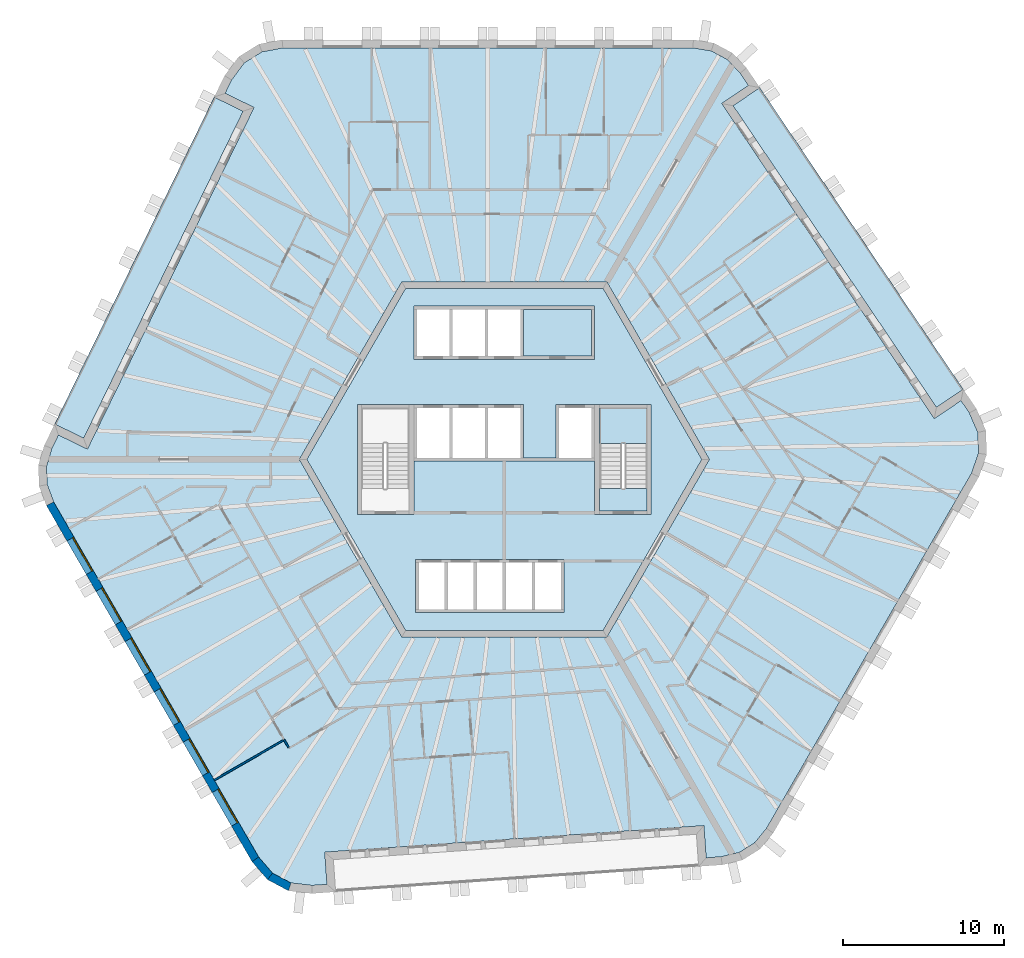
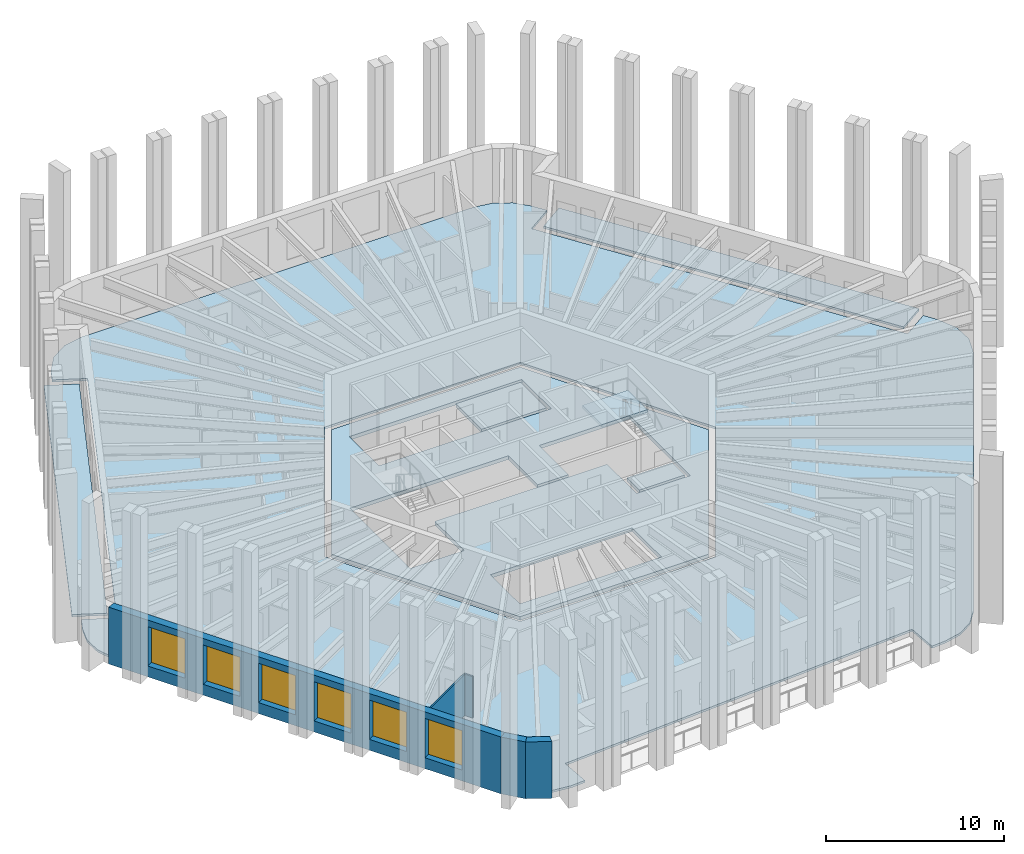
# One storey, part 2 of 13: 7 slabs, 6 windows, 5 walls, 6 openings, 1 element without a shape of its own.
"""IFC4 building model written with IfcOpenShell, lengths in metres."""

from ifc_helpers import new_model, si_unit, direction, frame, frame_2d, origin, place, context, subcontext, project, spatial, polyline, rectangle, outline, extrude, material, layer, layer_set, type_object, element, fill, aggregate, save


model = new_model("IFC4")

# Units and contexts
model_context = context("Model", 3, precision=1e-05, world=origin(), true_north=direction((0.0, 1.0)))
body_context = subcontext(model_context, "Body", "Model", "MODEL_VIEW")
ifc_project = project(units=[si_unit("LENGTHUNIT", "METRE"), si_unit("AREAUNIT", "SQUARE_METRE"), si_unit("VOLUMEUNIT", "CUBIC_METRE"), si_unit("PLANEANGLEUNIT", "RADIAN"), si_unit("MASSUNIT", "GRAM", prefix="KILO")], contexts=[model_context])

# Site, building, storey
site_placement = place(None, origin())
site = spatial("IfcSite", under=ifc_project, at=site_placement, CompositionType="ELEMENT")
building_placement = place(site_placement, origin())
building = spatial("IfcBuilding", under=site, at=building_placement, Name="Tarnside Tower", CompositionType="ELEMENT")
storey_placement = place(building_placement, frame((0.0, 0.0, 326.39990234375)))
storey = spatial("IfcBuildingStorey", under=building, at=storey_placement, Name="L79", CompositionType="ELEMENT", Elevation=326.39990234375)

# Slabs
ifc_material_1 = material(Name="Concrete C35/45", Category="concrete")
ifc_layer_1 = layer(ifc_material_1, 0.14990234375)
ifc_layer_set_1 = layer_set([ifc_layer_1], Name="Composite floor slab 150")
slab_type_1 = type_object("IfcSlabType", Name="Composite floor slab 150", PredefinedType="FLOOR", material=ifc_layer_set_1)
slab_1_placement = place(storey_placement, frame((0.0, 0.0, -0.14990234375)))
element("IfcSlab", 1, at=slab_1_placement, inside=storey, type_object=slab_type_1, Name="Floor slab L79", PredefinedType="FLOOR", context=body_context, shape_type="SweptSolid", body=[
    extrude(outline(polyline([(12.81689453125, 25.312744140625), (13.818115234375, 24.7802734375), (14.610595703125, 23.940185546875), (15.130615234375, 23.169677734375), (13.472412109375, 22.05126953125), (26.638427734375, 2.53173828125), (28.29638671875, 3.650146484375), (28.814697265625, 2.8818359375), (29.336669921875, 1.671875), (29.3818359375, 0.378662109375), (28.945556640625, -0.864990234375), (16.2451171875, -22.86279296875), (15.51318359375, -23.756103515625), (14.55126953125, -24.35693359375), (13.427490234375, -24.623291015625), (12.500244140625, -24.688232421875), (12.360595703125, -22.693115234375), (-11.126708984375, -24.33544921875), (-10.9873046875, -26.33056640625), (-11.91162109375, -26.395263671875), (-13.220458984375, -26.2421875), (-14.363037109375, -25.634765625), (-15.2216796875, -24.635009765625), (-27.922119140625, -2.63720703125), (-28.329833984375, -1.556640625), (-28.369384765625, -0.42333984375), (-28.0380859375, 0.68310546875), (-27.630615234375, 1.5185546875), (-25.8330078125, 0.641845703125), (-15.51171875, 21.8037109375), (-17.309326171875, 22.680419921875), (-16.903076171875, 23.51318359375), (-16.1162109375, 24.5703125), (-15.018798828125, 25.256103515625), (-13.723876953125, 25.5), (11.67724609375, 25.5), (12.81689453125, 25.312744140625)]), holes=[polyline([(-12.70166015625, 0.0), (-6.350830078125, -11.0), (6.350830078125, -11.0), (12.70166015625, 0.0), (6.350830078125, 11.0), (-6.350830078125, 11.0), (-12.70166015625, 0.0)])]), origin(), (0.0, 0.0, 1.0), 0.14990234375),
])
ifc_material_2 = material(Name="Concrete C40/50", Category="concrete")
ifc_layer_2 = layer(ifc_material_2, 0.25)
ifc_layer_set_2 = layer_set([ifc_layer_2], Name="Core slab C40/50")
slab_type_2 = type_object("IfcSlabType", Name="Core slab C40/50", PredefinedType="FLOOR", material=ifc_layer_set_2)
slab_2_placement = place(storey_placement, frame((0.0, 0.0, -0.25)))
element("IfcSlab", 2, at=slab_2_placement, inside=storey, type_object=slab_type_2, Name="L79 core floor slab 1", PredefinedType="FLOOR", context=body_context, shape_type="SweptSolid", body=[
    extrude(outline(polyline([(6.119873046875, 10.60009765625), (12.23974609375, 0.0), (6.119873046875, -10.60009765625), (-6.119873046875, -10.60009765625), (-12.23974609375, 0.0), (-6.119873046875, 10.60009765625), (6.119873046875, 10.60009765625)]), holes=[polyline([(-5.5, -9.5), (3.699951171875, -9.5), (3.699951171875, -9.300048828125), (3.699951171875, -6.39990234375), (3.699951171875, -6.199951171875), (-5.5, -6.199951171875), (-5.5, -6.39990234375), (-5.5, -9.300048828125), (-5.5, -9.5)]), polyline([(-5.60009765625, -3.39990234375), (-5.60009765625, -0.10009765625), (5.60009765625, -0.10009765625), (5.60009765625, -3.39990234375), (5.89990234375, -3.39990234375), (8.85009765625, -3.39990234375), (9.10009765625, -3.39990234375), (9.10009765625, 3.39990234375), (8.85009765625, 3.39990234375), (5.89990234375, 3.39990234375), (5.60009765625, 3.39990234375), (3.39990234375, 3.39990234375), (3.199951171875, 3.39990234375), (3.199951171875, 0.10009765625), (1.199951171875, 0.10009765625), (1.199951171875, 3.39990234375), (1.0, 3.39990234375), (-5.60009765625, 3.39990234375), (-5.89990234375, 3.39990234375), (-8.85009765625, 3.39990234375), (-9.10009765625, 3.39990234375), (-9.10009765625, -3.39990234375), (-8.85009765625, -3.39990234375), (-5.89990234375, -3.39990234375), (-5.60009765625, -3.39990234375)]), polyline([(-5.60009765625, 6.199951171875), (5.60009765625, 6.199951171875), (5.60009765625, 6.39990234375), (5.60009765625, 9.300048828125), (5.60009765625, 9.5), (-5.60009765625, 9.5), (-5.60009765625, 9.300048828125), (-5.60009765625, 6.39990234375), (-5.60009765625, 6.199951171875)])]), origin(), (0.0, 0.0, 1.0), 0.25),
])
slab_3_placement = place(storey_placement, frame((0.0, 0.0, -0.25)))
element("IfcSlab", 3, at=slab_3_placement, inside=storey, type_object=slab_type_2, Name="L79 core floor slab 3", PredefinedType="FLOOR", context=body_context, shape_type="SweptSolid", body=[
    extrude(outline(polyline([(5.89990234375, -1.800048828125), (8.85009765625, -1.800048828125), (8.85009765625, -3.199951171875), (5.89990234375, -3.199951171875), (5.89990234375, -1.800048828125)])), origin(), (0.0, 0.0, 1.0), 0.25),
])
slab_4_placement = place(storey_placement, frame((0.0, 0.0, -0.25)))
element("IfcSlab", 4, at=slab_4_placement, inside=storey, type_object=slab_type_2, Name="L79 core floor slab 4", PredefinedType="FLOOR", context=body_context, shape_type="SweptSolid", body=[
    extrude(outline(polyline([(5.39990234375, 6.39990234375), (1.199951171875, 6.39990234375), (1.199951171875, 9.300048828125), (5.39990234375, 9.300048828125), (5.39990234375, 6.39990234375)])), origin(), (0.0, 0.0, 1.0), 0.25),
])
ifc_material_3 = material(Name="Timber decking", Category="wood")
ifc_layer_3 = layer(ifc_material_3, 0.0400390625)
ifc_material_4 = material(Name="Concrete C60/75 precast", Category="concrete")
ifc_layer_4 = layer(ifc_material_4, 0.110107421875)
ifc_layer_set_3 = layer_set([ifc_layer_3, ifc_layer_4], Name="Loggia deck 150")
slab_type_3 = type_object("IfcSlabType", Name="Loggia deck 150", PredefinedType="FLOOR", material=ifc_layer_set_3)
slab_5_placement = place(storey_placement, frame((0.0, 0.0, -0.14990234375)))
element("IfcSlab", 5, at=slab_5_placement, inside=storey, type_object=slab_type_3, Name="Loggia deck L79 F2", PredefinedType="FLOOR", context=body_context, shape_type="SweptSolid", body=[
    extrude(outline(polyline([(-16.180419921875, 21.573486328125), (-26.063232421875, 1.310302734375), (-27.86083984375, 2.187255859375), (-17.97802734375, 22.4501953125), (-16.180419921875, 21.573486328125)])), origin(), (0.0, 0.0, 1.0), 0.14990234375),
])
slab_6_placement = place(storey_placement, frame((0.0, 0.0, -0.14990234375)))
element("IfcSlab", 6, at=slab_6_placement, inside=storey, type_object=slab_type_3, Name="Loggia deck L79 F6", PredefinedType="FLOOR", context=body_context, shape_type="SweptSolid", body=[
    extrude(outline(polyline([(26.7734375, 3.225830078125), (14.16650390625, 21.916259765625), (15.82470703125, 23.03466796875), (28.431396484375, 4.34423828125), (26.7734375, 3.225830078125)])), origin(), (0.0, 0.0, 1.0), 0.14990234375),
])

# Stair, slab
stair_type = type_object("IfcStairType", Name="Exit stair 1400 clear", PredefinedType="HALF_TURN_STAIR", material=ifc_material_2)
stair_placement = place(storey_placement, origin())
stair = element("IfcStair", 7, at=stair_placement, inside=storey, type_object=stair_type, Name="L79 Exit stair 1", PredefinedType="HALF_TURN_STAIR")
ifc_layer_5 = layer(ifc_material_2, 0.199951171875)
ifc_layer_set_4 = layer_set([ifc_layer_5], Name="Stair landing 200 C40/50")
slab_type_4 = type_object("IfcSlabType", Name="Stair landing 200 C40/50", PredefinedType="LANDING", material=ifc_layer_set_4)
slab_7_placement = place(storey_placement, frame((0.0, 0.0, 1.75)))
slab_7 = element("IfcSlab", 8, at=slab_7_placement, type_object=slab_type_4, Name="ST1 landing 1", PredefinedType="LANDING", context=body_context, shape_type="SweptSolid", body=[
    extrude(outline(polyline([(8.85009765625, 1.0), (8.85009765625, 3.199951171875), (5.89990234375, 3.199951171875), (5.89990234375, 1.0), (8.85009765625, 1.0)])), origin(), (0.0, 0.0, 1.0), 0.2001953125),
])
aggregate(stair, [slab_7])

# Walls
ifc_material_5 = material(Name="Gypsum board partition on steel studs", Category="steel")
ifc_layer_6 = layer(ifc_material_5, 0.10009765625)
ifc_layer_set_5 = layer_set([ifc_layer_6], Name="Partition 100")
wall_type_1 = type_object("IfcWallType", Name="Partition 100", PredefinedType="PARTITIONING", material=ifc_layer_set_5)
wall_1_placement = place(storey_placement, frame((-13.3662109375, -17.84912109375, 0.0), z_axis=(0.0, 0.0, 1.0), x_axis=(-0.499850094852, 0.866111934265, 0.0)))
element("IfcWall", 9, at=wall_1_placement, inside=storey, type_object=wall_type_1, Name="Partition wall 26121", PredefinedType="PARTITIONING", context=body_context, shape_type="SweptSolid", body=[
    extrude(rectangle(XDim=0.552001953125, YDim=0.10009765625, at=frame_2d((0.27587890625, 0.0))), origin(), (0.0, 0.0, 1.0), 2.837890625),
])
wall_2_placement = place(storey_placement, frame((-13.684326171875, -17.39794921875, 0.0), z_axis=(0.0, 0.0, 1.0), x_axis=(-0.866040211805, -0.499974350878, 0.0)))
element("IfcWall", 10, at=wall_2_placement, inside=storey, type_object=wall_type_1, Name="Partition wall 26122", PredefinedType="PARTITIONING", context=body_context, shape_type="SweptSolid", body=[
    extrude(rectangle(XDim=4.949951171875, YDim=0.10009765625, at=frame_2d((2.47509765625, 0.0))), origin(), (0.0, 0.0, 1.0), 2.837890625),
])

# Wall, openings, windows
ifc_material_6 = material(Name="Facing brick", Category="masonry")
ifc_layer_7 = layer(ifc_material_6, 0.10205078125)
ifc_layer_8 = layer(ifc_material_4, 0.298095703125)
ifc_material_7 = material(Name="Mineral wool insulation")
ifc_layer_9 = layer(ifc_material_7, 0.10009765625)
ifc_layer_set_6 = layer_set([ifc_layer_7, ifc_layer_8, ifc_layer_9], Name="Tube wall 500 brick faced")
wall_type_2 = type_object("IfcWallType", Name="Tube wall 500 brick faced", PredefinedType="SOLIDWALL", material=ifc_layer_set_6)
wall_3_placement = place(storey_placement, frame((-28.14892578125, -2.74462890625, -0.14990234375), z_axis=(0.0, 0.0, 1.0), x_axis=(0.500003737743, -0.866023245787, 0.0)))
wall_3 = element("IfcWall", 11, at=wall_3_placement, inside=storey, type_object=wall_type_2, Name="Tube wall L79 F3 flush 12", PredefinedType="SOLIDWALL", context=body_context, shape_type="SweptSolid", body=[
    extrude(outline(polyline([(-0.0205078125, -0.25), (25.468017578125, -0.25), (25.421142578125, 0.25), (0.0205078125, 0.25), (-0.0205078125, -0.25)])), origin(), (0.0, 0.0, 1.0), 3.89990234375),
])
opening_1_placement = place(wall_3_placement, frame((2.5224609375, 0.0, 0.75)))
opening_1 = element("IfcOpeningElement", 12, at=opening_1_placement, cuts=wall_3, Name="Opening WR", PredefinedType="OPENING", context=body_context, shape_type="SweptSolid", body=[
    extrude(rectangle(XDim=2.39990234375, YDim=2.699951171875, at=frame_2d((1.199951171875, 1.35009765625))), frame((0.0, 0.260009765625, 0.0), z_axis=(0.0, -1.0, 0.0), x_axis=(1.0, 0.0, 0.0)), (0.0, 0.0, 1.0), 0.52001953125),
])
opening_2_placement = place(wall_3_placement, frame((6.122314453125, 0.0, 0.75)))
opening_2 = element("IfcOpeningElement", 13, at=opening_2_placement, cuts=wall_3, Name="Opening WR", PredefinedType="OPENING", context=body_context, shape_type="SweptSolid", body=[
    extrude(rectangle(XDim=2.39990234375, YDim=2.699951171875, at=frame_2d((1.199951171875, 1.35009765625))), frame((0.0, 0.260009765625, 0.0), z_axis=(0.0, -1.0, 0.0), x_axis=(1.0, 0.0, 0.0)), (0.0, 0.0, 1.0), 0.52001953125),
])
opening_3_placement = place(wall_3_placement, frame((9.722412109375, 0.0, 0.75)))
opening_3 = element("IfcOpeningElement", 14, at=opening_3_placement, cuts=wall_3, Name="Opening WR", PredefinedType="OPENING", context=body_context, shape_type="SweptSolid", body=[
    extrude(rectangle(XDim=2.39990234375, YDim=2.699951171875, at=frame_2d((1.199951171875, 1.35009765625))), frame((0.0, 0.260009765625, 0.0), z_axis=(0.0, -1.0, 0.0), x_axis=(1.0, 0.0, 0.0)), (0.0, 0.0, 1.0), 0.52001953125),
])
opening_4_placement = place(wall_3_placement, frame((13.322509765625, 0.0, 0.75)))
opening_4 = element("IfcOpeningElement", 15, at=opening_4_placement, cuts=wall_3, Name="Opening WR", PredefinedType="OPENING", context=body_context, shape_type="SweptSolid", body=[
    extrude(rectangle(XDim=2.39990234375, YDim=2.699951171875, at=frame_2d((1.199951171875, 1.35009765625))), frame((0.0, 0.260009765625, 0.0), z_axis=(0.0, -1.0, 0.0), x_axis=(1.0, 0.0, 0.0)), (0.0, 0.0, 1.0), 0.52001953125),
])
opening_5_placement = place(wall_3_placement, frame((16.92236328125, 0.0, 0.75)))
opening_5 = element("IfcOpeningElement", 16, at=opening_5_placement, cuts=wall_3, Name="Opening WR", PredefinedType="OPENING", context=body_context, shape_type="SweptSolid", body=[
    extrude(rectangle(XDim=2.39990234375, YDim=2.699951171875, at=frame_2d((1.199951171875, 1.35009765625))), frame((0.0, 0.260009765625, 0.0), z_axis=(0.0, -1.0, 0.0), x_axis=(1.0, 0.0, 0.0)), (0.0, 0.0, 1.0), 0.52001953125),
])
opening_6_placement = place(wall_3_placement, frame((20.5224609375, 0.0, 0.75)))
opening_6 = element("IfcOpeningElement", 17, at=opening_6_placement, cuts=wall_3, Name="Opening WR", PredefinedType="OPENING", context=body_context, shape_type="SweptSolid", body=[
    extrude(rectangle(XDim=2.39990234375, YDim=2.699951171875, at=frame_2d((1.199951171875, 1.35009765625))), frame((0.0, 0.260009765625, 0.0), z_axis=(0.0, -1.0, 0.0), x_axis=(1.0, 0.0, 0.0)), (0.0, 0.0, 1.0), 0.52001953125),
])
ifc_material_8 = material(Name="Aluminium-framed double glazing", Category="aluminium")
window_type = type_object("IfcWindowType", Name="Residence window 2400 x 2700", PartitioningType="DOUBLE_PANEL_VERTICAL", PredefinedType="WINDOW", material=ifc_material_8)
window_1_placement = place(opening_1_placement, frame((0.0, 0.179931640625, 0.0)))
window_1 = element("IfcWindow", 18, at=window_1_placement, inside=storey, type_object=window_type, Name="E.WN.L79.F3.00", OverallHeight=2.699951171875, OverallWidth=2.39990234375, PartitioningType="DOUBLE_PANEL_VERTICAL", PredefinedType="WINDOW", context=body_context, shape_type="SweptSolid", body=[
    extrude(rectangle(XDim=2.39990234375, YDim=2.699951171875, at=frame_2d((1.199951171875, 1.35009765625))), frame((0.0, 0.030029296875, 0.0), z_axis=(0.0, -1.0, 0.0), x_axis=(1.0, 0.0, 0.0)), (0.0, 0.0, 1.0), 0.06005859375),
])
fill(opening_1, window_1)
window_2_placement = place(opening_2_placement, frame((0.0, 0.179931640625, 0.0)))
window_2 = element("IfcWindow", 19, at=window_2_placement, inside=storey, type_object=window_type, Name="E.WN.L79.F3.01", OverallHeight=2.699951171875, OverallWidth=2.39990234375, PartitioningType="DOUBLE_PANEL_VERTICAL", PredefinedType="WINDOW", context=body_context, shape_type="SweptSolid", body=[
    extrude(rectangle(XDim=2.39990234375, YDim=2.699951171875, at=frame_2d((1.199951171875, 1.35009765625))), frame((0.0, 0.030029296875, 0.0), z_axis=(0.0, -1.0, 0.0), x_axis=(1.0, 0.0, 0.0)), (0.0, 0.0, 1.0), 0.06005859375),
])
fill(opening_2, window_2)
window_3_placement = place(opening_3_placement, frame((0.0, 0.179931640625, 0.0)))
window_3 = element("IfcWindow", 20, at=window_3_placement, inside=storey, type_object=window_type, Name="E.WN.L79.F3.02", OverallHeight=2.699951171875, OverallWidth=2.39990234375, PartitioningType="DOUBLE_PANEL_VERTICAL", PredefinedType="WINDOW", context=body_context, shape_type="SweptSolid", body=[
    extrude(rectangle(XDim=2.39990234375, YDim=2.699951171875, at=frame_2d((1.199951171875, 1.35009765625))), frame((0.0, 0.030029296875, 0.0), z_axis=(0.0, -1.0, 0.0), x_axis=(1.0, 0.0, 0.0)), (0.0, 0.0, 1.0), 0.06005859375),
])
fill(opening_3, window_3)
window_4_placement = place(opening_4_placement, frame((0.0, 0.179931640625, 0.0)))
window_4 = element("IfcWindow", 21, at=window_4_placement, inside=storey, type_object=window_type, Name="E.WN.L79.F3.03", OverallHeight=2.699951171875, OverallWidth=2.39990234375, PartitioningType="DOUBLE_PANEL_VERTICAL", PredefinedType="WINDOW", context=body_context, shape_type="SweptSolid", body=[
    extrude(rectangle(XDim=2.39990234375, YDim=2.699951171875, at=frame_2d((1.199951171875, 1.35009765625))), frame((0.0, 0.030029296875, 0.0), z_axis=(0.0, -1.0, 0.0), x_axis=(1.0, 0.0, 0.0)), (0.0, 0.0, 1.0), 0.06005859375),
])
fill(opening_4, window_4)
window_5_placement = place(opening_5_placement, frame((0.0, 0.179931640625, 0.0)))
window_5 = element("IfcWindow", 22, at=window_5_placement, inside=storey, type_object=window_type, Name="E.WN.L79.F3.04", OverallHeight=2.699951171875, OverallWidth=2.39990234375, PartitioningType="DOUBLE_PANEL_VERTICAL", PredefinedType="WINDOW", context=body_context, shape_type="SweptSolid", body=[
    extrude(rectangle(XDim=2.39990234375, YDim=2.699951171875, at=frame_2d((1.199951171875, 1.35009765625))), frame((0.0, 0.030029296875, 0.0), z_axis=(0.0, -1.0, 0.0), x_axis=(1.0, 0.0, 0.0)), (0.0, 0.0, 1.0), 0.06005859375),
])
fill(opening_5, window_5)
window_6_placement = place(opening_6_placement, frame((0.0, 0.179931640625, 0.0)))
window_6 = element("IfcWindow", 23, at=window_6_placement, inside=storey, type_object=window_type, Name="E.WN.L79.F3.05", OverallHeight=2.699951171875, OverallWidth=2.39990234375, PartitioningType="DOUBLE_PANEL_VERTICAL", PredefinedType="WINDOW", context=body_context, shape_type="SweptSolid", body=[
    extrude(rectangle(XDim=2.39990234375, YDim=2.699951171875, at=frame_2d((1.199951171875, 1.35009765625))), frame((0.0, 0.030029296875, 0.0), z_axis=(0.0, -1.0, 0.0), x_axis=(1.0, 0.0, 0.0)), (0.0, 0.0, 1.0), 0.06005859375),
])
fill(opening_6, window_6)

# Walls
wall_4_placement = place(storey_placement, frame((-15.426513671875, -24.7802734375, -0.14990234375), z_axis=(0.0, 0.0, 1.0), x_axis=(0.651616566281, -0.758548515619, 0.0)))
element("IfcWall", 24, at=wall_4_placement, inside=storey, type_object=wall_type_2, Name="Tube wall L79 F3 chord 13", PredefinedType="SOLIDWALL", context=body_context, shape_type="SweptSolid", body=[
    extrude(outline(polyline([(-0.0234375, -0.25), (1.435302734375, -0.25), (1.341064453125, 0.25), (0.0234375, 0.25), (-0.0234375, -0.25)])), origin(), (0.0, 0.0, 1.0), 3.89990234375),
])
wall_5_placement = place(storey_placement, frame((-14.52197265625, -25.833251953125, -0.14990234375), z_axis=(0.0, 0.0, 1.0), x_axis=(0.882926676147, -0.469510899286, 0.0)))
element("IfcWall", 25, at=wall_5_placement, inside=storey, type_object=wall_type_2, Name="Tube wall L79 F3 chord 14", PredefinedType="SOLIDWALL", context=body_context, shape_type="SweptSolid", body=[
    extrude(outline(polyline([(-0.047119140625, -0.25), (1.435546875, -0.25), (1.34130859375, 0.25), (0.047119140625, 0.25), (-0.047119140625, -0.25)])), origin(), (0.0, 0.0, 1.0), 3.89990234375),
])

save(model, "model.ifc")
